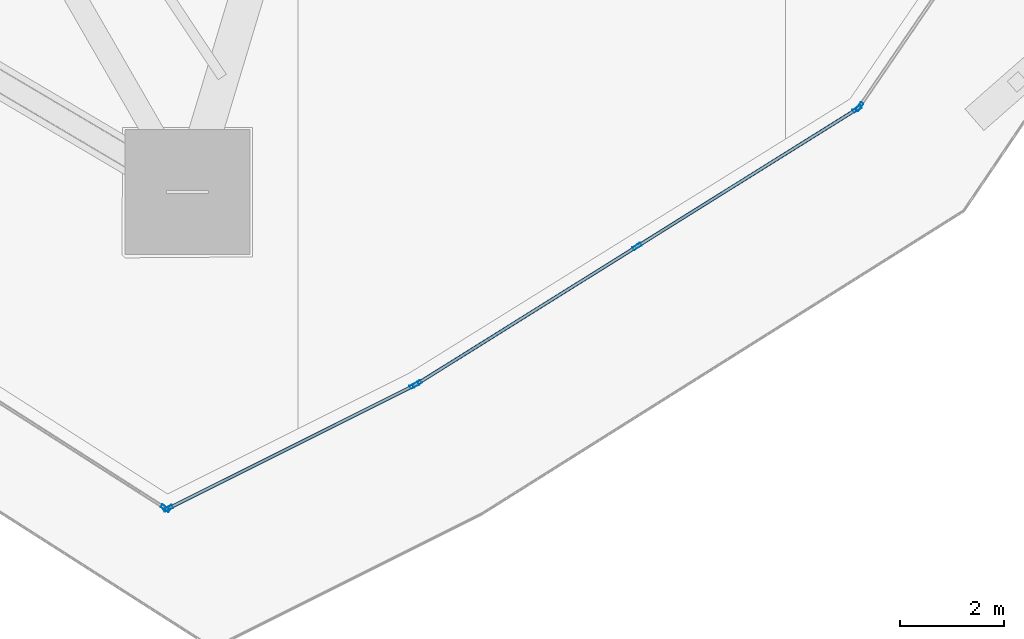
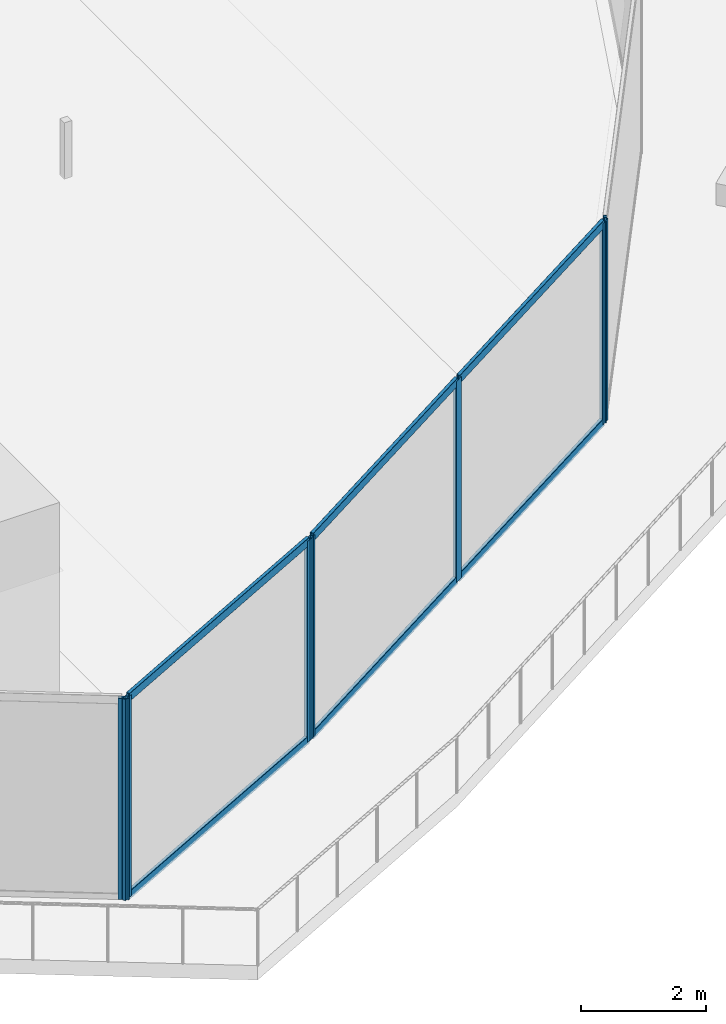
# One storey, part 10 of 45: 13 members, 4 elements without a shape of their own.
"""IFC4 building model written with IfcOpenShell, lengths in metres."""

from ifc_helpers import new_model, si_unit, direction, frame, origin, origin_2d, place, context, subcontext, project, spatial, hollow_rectangle, extrude, material, layer, layer_set, material_profile, profile_set, type_object, element, aggregate, save


model = new_model("IFC4")

# Units and contexts
model_context = context("Model", 3, precision=1e-05, world=origin(), true_north=direction((0.0, 1.0)))
body_context = subcontext(model_context, "Body", "Model", "MODEL_VIEW")
ifc_project = project(units=[si_unit("LENGTHUNIT", "METRE"), si_unit("AREAUNIT", "SQUARE_METRE"), si_unit("VOLUMEUNIT", "CUBIC_METRE"), si_unit("PLANEANGLEUNIT", "RADIAN"), si_unit("MASSUNIT", "GRAM", prefix="KILO")], contexts=[model_context])

# Site, building, storey
site_placement = place(None, origin())
site = spatial("IfcSite", under=ifc_project, at=site_placement, CompositionType="ELEMENT")
building_placement = place(site_placement, origin())
building = spatial("IfcBuilding", under=site, at=building_placement, Name="Qorvath Tower", CompositionType="ELEMENT")
storey_placement = place(building_placement, frame((0.0, 0.0, 49.199951171875)))
storey = spatial("IfcBuildingStorey", under=building, at=storey_placement, Name="L10", CompositionType="ELEMENT", Elevation=49.199951171875)

# Curtain wall, member
ifc_material_1 = material(Name="Anodised aluminium and triple low-E glass", Category="aluminium")
ifc_layer = layer(ifc_material_1, 0.179931640625)
ifc_layer_set = layer_set([ifc_layer], Name="CW-SYS-2")
curtain_wall_type = type_object("IfcCurtainWallType", Name="CW-SYS-2", PredefinedType="NOTDEFINED", material=ifc_layer_set)
curtain_wall_1_placement = place(storey_placement, origin())
curtain_wall_1 = element("IfcCurtainWall", 1, at=curtain_wall_1_placement, inside=storey, type_object=curtain_wall_type, Name="Curtain Wall CW-2 CW-T-L10-2.2", PredefinedType="NOTDEFINED")
ifc_material_2 = material(Name="Anodised aluminium 6063-T6", Category="aluminium")
ifc_material_profile_1 = material_profile(ifc_material_2, hollow_rectangle(XDim=0.06494140625, YDim=0.179931640625, WallThickness=0.00341796875, InnerFilletRadius=0.00341796875, OuterFilletRadius=0.007080078125, at=origin_2d()), Name="CWM 180x65")
ifc_profile_set_1 = profile_set([ifc_material_profile_1], Name="Anodised aluminium 6063-T6")
member_type_1 = type_object("IfcMemberType", Name="CWM-180", PredefinedType="MULLION", material=ifc_profile_set_1)
member_1_placement = place(storey_placement, frame((-14.891357421875, -33.390380859375, 0.0), z_axis=(0.0, 0.0, 1.0), x_axis=(0.538536571861, 0.842602136698, 0.0)))
member_1 = element("IfcMember", 2, at=member_1_placement, type_object=member_type_1, Name="CW-2 mullion 7", PredefinedType="MULLION", context=body_context, shape_type="SweptSolid", body=[
    extrude(hollow_rectangle(XDim=0.06494140625, YDim=0.179931640625, WallThickness=0.00341796875, InnerFilletRadius=0.00341796875, OuterFilletRadius=0.007080078125, at=origin_2d()), origin(), (0.0, 0.0, 1.0), 3.920166015625),
])
aggregate(curtain_wall_1, [member_1])

# Curtain wall, members
curtain_wall_2_placement = place(storey_placement, origin())
curtain_wall_2 = element("IfcCurtainWall", 3, at=curtain_wall_2_placement, inside=storey, type_object=curtain_wall_type, Name="Curtain Wall CW-2 CW-T-L10-3.1", PredefinedType="NOTDEFINED")
member_2_placement = place(storey_placement, frame((-14.8349609375, -33.3935546875, 0.0), z_axis=(0.0, 0.0, 1.0), x_axis=(-0.447258573792, 0.89440470044, 0.0)))
member_2 = element("IfcMember", 4, at=member_2_placement, type_object=member_type_1, Name="CW-2 mullion 1", PredefinedType="MULLION", context=body_context, shape_type="SweptSolid", body=[
    extrude(hollow_rectangle(XDim=0.06494140625, YDim=0.179931640625, WallThickness=0.00341796875, InnerFilletRadius=0.00341796875, OuterFilletRadius=0.007080078125, at=origin_2d()), origin(), (0.0, 0.0, 1.0), 3.920166015625),
])
member_3_placement = place(storey_placement, frame((-10.12060546875, -31.0361328125, 0.0), z_axis=(0.0, 0.0, 1.0), x_axis=(-0.447258573792, 0.89440470044, 0.0)))
member_3 = element("IfcMember", 5, at=member_3_placement, type_object=member_type_1, Name="CW-2 mullion 2", PredefinedType="MULLION", context=body_context, shape_type="SweptSolid", body=[
    extrude(hollow_rectangle(XDim=0.06494140625, YDim=0.179931640625, WallThickness=0.00341796875, InnerFilletRadius=0.00341796875, OuterFilletRadius=0.007080078125, at=origin_2d()), origin(), (0.0, 0.0, 1.0), 3.920166015625),
])

curtain_wall_3_placement = place(storey_placement, origin())
curtain_wall_3 = element("IfcCurtainWall", 6, at=curtain_wall_3_placement, inside=storey, type_object=curtain_wall_type, Name="Curtain Wall CW-2 CW-T-L10-4.1", PredefinedType="NOTDEFINED")
member_4_placement = place(storey_placement, frame((-10.06396484375, -31.00439453125, 0.0), z_axis=(0.0, 0.0, 1.0), x_axis=(-0.529724040691, 0.848170054125, 0.0)))
member_4 = element("IfcMember", 7, at=member_4_placement, type_object=member_type_1, Name="CW-2 mullion 1", PredefinedType="MULLION", context=body_context, shape_type="SweptSolid", body=[
    extrude(hollow_rectangle(XDim=0.06494140625, YDim=0.179931640625, WallThickness=0.00341796875, InnerFilletRadius=0.00341796875, OuterFilletRadius=0.007080078125, at=origin_2d()), origin(), (0.0, 0.0, 1.0), 3.920166015625),
])
member_5_placement = place(storey_placement, frame((-5.847900390625, -28.37109375, 0.0), z_axis=(0.0, 0.0, 1.0), x_axis=(-0.529724040691, 0.848170054125, 0.0)))
member_5 = element("IfcMember", 8, at=member_5_placement, type_object=member_type_1, Name="CW-2 mullion 2", PredefinedType="MULLION", context=body_context, shape_type="SweptSolid", body=[
    extrude(hollow_rectangle(XDim=0.06494140625, YDim=0.179931640625, WallThickness=0.00341796875, InnerFilletRadius=0.00341796875, OuterFilletRadius=0.007080078125, at=origin_2d()), origin(), (0.0, 0.0, 1.0), 3.920166015625),
])
member_6_placement = place(storey_placement, frame((-1.6318359375, -25.738037109375, 0.0), z_axis=(0.0, 0.0, 1.0), x_axis=(-0.529724040691, 0.848170054125, 0.0)))
member_6 = element("IfcMember", 9, at=member_6_placement, type_object=member_type_1, Name="CW-2 mullion 3", PredefinedType="MULLION", context=body_context, shape_type="SweptSolid", body=[
    extrude(hollow_rectangle(XDim=0.06494140625, YDim=0.179931640625, WallThickness=0.00341796875, InnerFilletRadius=0.00341796875, OuterFilletRadius=0.007080078125, at=origin_2d()), origin(), (0.0, 0.0, 1.0), 3.920166015625),
])

# Curtain wall, member
curtain_wall_4_placement = place(storey_placement, origin())
curtain_wall_4 = element("IfcCurtainWall", 10, at=curtain_wall_4_placement, inside=storey, type_object=curtain_wall_type, Name="Curtain Wall CW-2 CW-T-L10-5.1", PredefinedType="NOTDEFINED")
member_7_placement = place(storey_placement, frame((-1.5859375, -25.69384765625, 0.0), z_axis=(0.0, 0.0, 1.0), x_axis=(-0.825849008834, 0.563891314535, 0.0)))
member_7 = element("IfcMember", 11, at=member_7_placement, type_object=member_type_1, Name="CW-2 mullion 1", PredefinedType="MULLION", context=body_context, shape_type="SweptSolid", body=[
    extrude(hollow_rectangle(XDim=0.06494140625, YDim=0.179931640625, WallThickness=0.00341796875, InnerFilletRadius=0.00341796875, OuterFilletRadius=0.007080078125, at=origin_2d()), origin(), (0.0, 0.0, 1.0), 3.920166015625),
])
aggregate(curtain_wall_4, [member_7])

# Member
ifc_material_3 = material(Name="Anodised aluminium 6063-T6", Category="aluminium")
ifc_material_profile_2 = material_profile(ifc_material_3, hollow_rectangle(XDim=0.06494140625, YDim=0.159912109375, WallThickness=0.00341796875, InnerFilletRadius=0.00341796875, OuterFilletRadius=0.007080078125, at=origin_2d()), Name="CWT 160x65")
ifc_profile_set_2 = profile_set([ifc_material_profile_2], Name="Anodised aluminium 6063-T6")
member_type_2 = type_object("IfcMemberType", Name="CWT-160", PredefinedType="USERDEFINED", material=ifc_profile_set_2)
member_8_placement = place(storey_placement, frame((-14.805908203125, -33.37890625, 0.032470703125), z_axis=(0.894408431647, 0.447251112239, 0.0), x_axis=(-0.447251112239, 0.894408431647, 0.0)))
member_8 = element("IfcMember", 12, at=member_8_placement, type_object=member_type_2, Name="CW-2 transom 1.1", ObjectType="TRANSOM", PredefinedType="USERDEFINED", context=body_context, shape_type="SweptSolid", body=[
    extrude(hollow_rectangle(XDim=0.06494140625, YDim=0.159912109375, WallThickness=0.00341796875, InnerFilletRadius=0.00341796875, OuterFilletRadius=0.007080078125, at=origin_2d()), origin(), (0.0, 0.0, 1.0), 5.2060546875),
])

member_9_placement = place(storey_placement, frame((-14.805908203125, -33.37890625, 3.8876953125), z_axis=(0.894408431647, 0.447251112239, 0.0), x_axis=(-0.447251112239, 0.894408431647, 0.0)))
member_9 = element("IfcMember", 13, at=member_9_placement, type_object=member_type_2, Name="CW-2 transom 1.2", ObjectType="TRANSOM", PredefinedType="USERDEFINED", context=body_context, shape_type="SweptSolid", body=[
    extrude(hollow_rectangle(XDim=0.06494140625, YDim=0.159912109375, WallThickness=0.00341796875, InnerFilletRadius=0.00341796875, OuterFilletRadius=0.007080078125, at=origin_2d()), origin(), (0.0, 0.0, 1.0), 5.2060546875),
])

aggregate(curtain_wall_2, [member_2, member_3, member_8, member_9])

member_10_placement = place(storey_placement, frame((-10.036376953125, -30.987060546875, 0.032470703125), z_axis=(0.848174397851, 0.52971708565, 0.0), x_axis=(-0.52971708565, 0.848174397851, 0.0)))
member_10 = element("IfcMember", 14, at=member_10_placement, type_object=member_type_2, Name="CW-2 transom 1.1", ObjectType="TRANSOM", PredefinedType="USERDEFINED", context=body_context, shape_type="SweptSolid", body=[
    extrude(hollow_rectangle(XDim=0.06494140625, YDim=0.159912109375, WallThickness=0.00341796875, InnerFilletRadius=0.00341796875, OuterFilletRadius=0.007080078125, at=origin_2d()), origin(), (0.0, 0.0, 1.0), 4.90576171875),
])

member_11_placement = place(storey_placement, frame((-10.036376953125, -30.987060546875, 3.8876953125), z_axis=(0.848174397851, 0.52971708565, 0.0), x_axis=(-0.52971708565, 0.848174397851, 0.0)))
member_11 = element("IfcMember", 15, at=member_11_placement, type_object=member_type_2, Name="CW-2 transom 1.2", ObjectType="TRANSOM", PredefinedType="USERDEFINED", context=body_context, shape_type="SweptSolid", body=[
    extrude(hollow_rectangle(XDim=0.06494140625, YDim=0.159912109375, WallThickness=0.00341796875, InnerFilletRadius=0.00341796875, OuterFilletRadius=0.007080078125, at=origin_2d()), origin(), (0.0, 0.0, 1.0), 4.90576171875),
])

member_12_placement = place(storey_placement, frame((-5.8203125, -28.35400390625, 0.032470703125), z_axis=(0.848152037868, 0.529752886411, 0.0), x_axis=(-0.529752886411, 0.848152037868, 0.0)))
member_12 = element("IfcMember", 16, at=member_12_placement, type_object=member_type_2, Name="CW-2 transom 2.1", ObjectType="TRANSOM", PredefinedType="USERDEFINED", context=body_context, shape_type="SweptSolid", body=[
    extrude(hollow_rectangle(XDim=0.06494140625, YDim=0.159912109375, WallThickness=0.00341796875, InnerFilletRadius=0.00341796875, OuterFilletRadius=0.007080078125, at=origin_2d()), origin(), (0.0, 0.0, 1.0), 4.90576171875),
])

member_13_placement = place(storey_placement, frame((-5.8203125, -28.35400390625, 3.8876953125), z_axis=(0.848152037868, 0.529752886411, 0.0), x_axis=(-0.529752886411, 0.848152037868, 0.0)))
member_13 = element("IfcMember", 17, at=member_13_placement, type_object=member_type_2, Name="CW-2 transom 2.2", ObjectType="TRANSOM", PredefinedType="USERDEFINED", context=body_context, shape_type="SweptSolid", body=[
    extrude(hollow_rectangle(XDim=0.06494140625, YDim=0.159912109375, WallThickness=0.00341796875, InnerFilletRadius=0.00341796875, OuterFilletRadius=0.007080078125, at=origin_2d()), origin(), (0.0, 0.0, 1.0), 4.90576171875),
])

aggregate(curtain_wall_3, [member_4, member_5, member_6, member_10, member_11, member_12, member_13])

save(model, "model.ifc")
